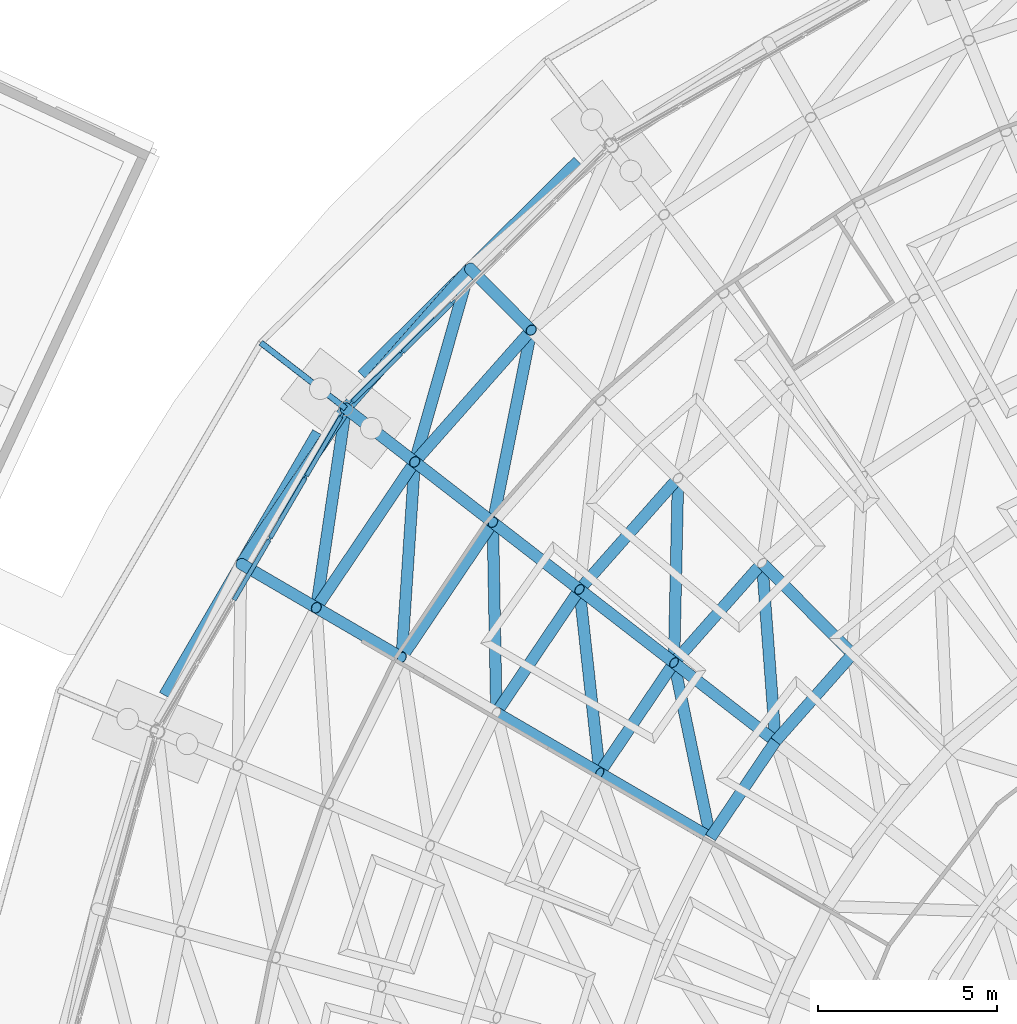
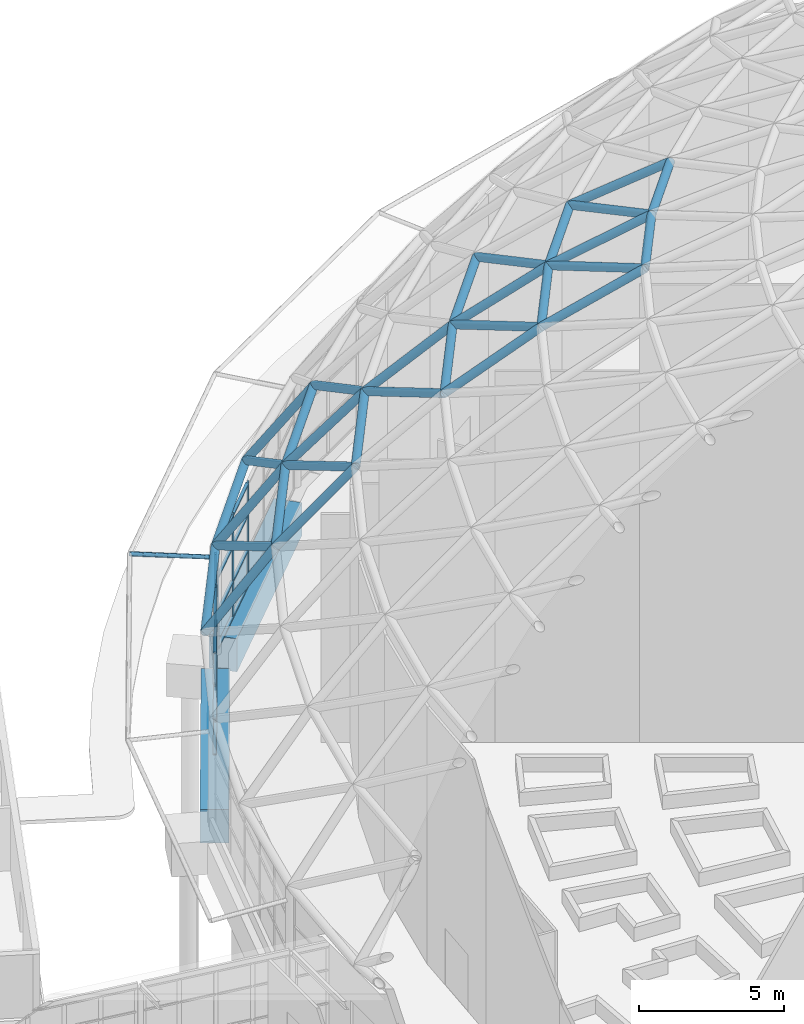
# One storey, part 86 of 226: 58 members, 2 beams, 2 elements without a shape of their own.
"""IFC4 building model written with IfcOpenShell, lengths in metres."""

from ifc_helpers import new_model, si_unit, direction, frame, origin, origin_2d, place, context, subcontext, project, spatial, rectangle, hollow_circle, extrude, material, material_profile, profile_set, type_object, element, aggregate, save


model = new_model("IFC4")

# Units and contexts
model_context = context("Model", 3, precision=1e-05, world=origin(), true_north=direction((0.0, 1.0)))
body_context = subcontext(model_context, "Body", "Model", "MODEL_VIEW")
ifc_project = project(units=[si_unit("LENGTHUNIT", "METRE"), si_unit("AREAUNIT", "SQUARE_METRE"), si_unit("VOLUMEUNIT", "CUBIC_METRE"), si_unit("PLANEANGLEUNIT", "RADIAN"), si_unit("MASSUNIT", "GRAM", prefix="KILO")], contexts=[model_context])

# Site, building, storey
site_placement = place(None, origin())
site = spatial("IfcSite", under=ifc_project, at=site_placement, CompositionType="ELEMENT")
building_placement = place(site_placement, origin())
building = spatial("IfcBuilding", under=site, at=building_placement, Name="Ceibo Conservatory and Research Tower", CompositionType="ELEMENT")
storey_placement = place(building_placement, origin())
storey = spatial("IfcBuildingStorey", under=building, at=storey_placement, Name="L00", CompositionType="ELEMENT", Elevation=0.0)

# Members
ifc_material_1 = material(Name="Steel ASTM A500 Gr C", Category="steel")
ifc_material_profile_1 = material_profile(ifc_material_1, hollow_circle(Radius=0.084228515625, WallThickness=0.007080078125, at=origin_2d()), Name="CHS 168.3x7.11")
ifc_profile_set_1 = profile_set([ifc_material_profile_1], Name="Steel ASTM A500 Gr C")
member_type_1 = type_object("IfcMemberType", Name="CHS 168.3x7.11", PredefinedType="NOTDEFINED", material=ifc_profile_set_1)
member_1_placement = place(storey_placement, frame((124.372314453125, 132.48876953125, 4.0), z_axis=(-0.789869974029, 0.611588288866, -0.04544435112), x_axis=(-0.612220791431, -0.790686854918, 0.0)))
element("IfcMember", 1, at=member_1_placement, inside=storey, type_object=member_type_1, Name="Brim brace bracket A-BK10", PredefinedType="BRACE", context=body_context, shape_type="SweptSolid", body=[
    extrude(hollow_circle(Radius=0.084228515625, WallThickness=0.007080078125, at=origin_2d()), origin(), (0.0, 0.0, 1.0), 3.003173828125),
])
ifc_material_profile_2 = material_profile(ifc_material_1, hollow_circle(Radius=0.161865234375, WallThickness=0.01025390625, at=origin_2d()), Name="CHS 323.9x10.31")
ifc_profile_set_2 = profile_set([ifc_material_profile_2], Name="Steel ASTM A500 Gr C")
member_type_2 = type_object("IfcMemberType", Name="CHS 323.9x10.31", PredefinedType="NOTDEFINED", material=ifc_profile_set_2)
member_2_placement = place(storey_placement, frame((129.553955078125, 134.677978515625, 8.115966796875), z_axis=(-0.662634989667, -0.748942501444, 0.0), x_axis=(0.748942501444, -0.662634989667, 0.0)))
element("IfcMember", 2, at=member_2_placement, inside=storey, type_object=member_type_2, Name="Gridshell member A-C02-18", PredefinedType="CHORD", context=body_context, shape_type="SweptSolid", body=[
    extrude(hollow_circle(Radius=0.161865234375, WallThickness=0.01025390625, at=origin_2d()), origin(), (0.0, 0.0, 1.0), 4.91357421875),
])
member_3_placement = place(storey_placement, frame((126.298095703125, 130.998046875, 8.115966796875), z_axis=(-0.559209169771, -0.829026600565, 0.0), x_axis=(0.829026600565, -0.559209169771, 0.0)))
element("IfcMember", 3, at=member_3_placement, inside=storey, type_object=member_type_2, Name="Gridshell member A-C02-19", PredefinedType="CHORD", context=body_context, shape_type="SweptSolid", body=[
    extrude(hollow_circle(Radius=0.161865234375, WallThickness=0.01025390625, at=origin_2d()), origin(), (0.0, 0.0, 1.0), 4.9140625),
])
member_4_placement = place(storey_placement, frame((128.47998046875, 129.30810546875, 11.489013671875), z_axis=(-0.55922138837, -0.829018358536, 0.0), x_axis=(0.829018358536, -0.55922138837, 0.0)))
element("IfcMember", 4, at=member_4_placement, inside=storey, type_object=member_type_2, Name="Gridshell member A-C03-19", PredefinedType="CHORD", context=body_context, shape_type="SweptSolid", body=[
    extrude(hollow_circle(Radius=0.161865234375, WallThickness=0.01025390625, at=origin_2d()), origin(), (0.0, 0.0, 1.0), 4.552490234375),
])
member_5_placement = place(storey_placement, frame((133.652099609375, 130.54296875, 14.591064453125), z_axis=(-0.662715987394, -0.748870830018, 0.0), x_axis=(0.748870830018, -0.662715987394, 0.0)))
element("IfcMember", 5, at=member_5_placement, inside=storey, type_object=member_type_2, Name="Gridshell member A-C04-18", PredefinedType="CHORD", context=body_context, shape_type="SweptSolid", body=[
    extrude(hollow_circle(Radius=0.161865234375, WallThickness=0.01025390625, at=origin_2d()), origin(), (0.0, 0.0, 1.0), 4.1513671875),
])
member_6_placement = place(storey_placement, frame((130.90087890625, 127.43408203125, 14.591064453125), z_axis=(-0.55908810092, -0.829108253131, 0.0), x_axis=(0.829108253131, -0.55908810092, 0.0)))
element("IfcMember", 6, at=member_6_placement, inside=storey, type_object=member_type_2, Name="Gridshell member A-C04-19", PredefinedType="CHORD", context=body_context, shape_type="SweptSolid", body=[
    extrude(hollow_circle(Radius=0.161865234375, WallThickness=0.01025390625, at=origin_2d()), origin(), (0.0, 0.0, 1.0), 4.15283203125),
])
member_7_placement = place(storey_placement, frame((136.001953125, 128.173095703125, 17.39501953125), z_axis=(0.578830285371, -0.583927397426, 0.569196183467), x_axis=(0.71019965967, 0.704000314918, 0.0)))
element("IfcMember", 7, at=member_7_placement, inside=storey, type_object=member_type_2, Name="Gridshell member A-M18-05", PredefinedType="RAFTER", context=body_context, shape_type="SweptSolid", body=[
    extrude(hollow_circle(Radius=0.161865234375, WallThickness=0.01025390625, at=origin_2d()), origin(), (0.0, 0.0, 1.0), 4.358642578125),
])
member_8_placement = place(storey_placement, frame((133.5400390625, 125.389892578125, 17.39501953125), z_axis=(0.650167743921, -0.503308696319, 0.569176827509), x_axis=(0.612137469712, 0.790751363056, 0.0)))
element("IfcMember", 8, at=member_8_placement, inside=storey, type_object=member_type_2, Name="Gridshell member A-M19-05", PredefinedType="RAFTER", context=body_context, shape_type="SweptSolid", body=[
    extrude(hollow_circle(Radius=0.161865234375, WallThickness=0.01025390625, at=origin_2d()), origin(), (0.0, 0.0, 1.0), 4.35888671875),
])
member_9_placement = place(storey_placement, frame((131.462890625, 122.31005859375, 17.39501953125), z_axis=(0.710200096409, -0.414199362111, 0.569258035945), x_axis=(0.503794768153, 0.863823379854, 0.0)))
element("IfcMember", 9, at=member_9_placement, inside=storey, type_object=member_type_2, Name="Gridshell member A-M20-05", PredefinedType="RAFTER", context=body_context, shape_type="SweptSolid", body=[
    extrude(hollow_circle(Radius=0.161865234375, WallThickness=0.01025390625, at=origin_2d()), origin(), (0.0, 0.0, 1.0), 4.358154296875),
])
ifc_material_profile_3 = material_profile(ifc_material_1, hollow_circle(Radius=0.161865234375, WallThickness=0.01416015625, at=origin_2d()), Name="CHS 323.9x14.27")
ifc_profile_set_3 = profile_set([ifc_material_profile_3], Name="Steel ASTM A500 Gr C")
member_type_3 = type_object("IfcMemberType", Name="CHS 323.9x14.27", PredefinedType="NOTDEFINED", material=ifc_profile_set_3)
member_10_placement = place(storey_placement, frame((127.839111328125, 136.406982421875, 4.5), z_axis=(0.393356662776, -0.396604767338, 0.829442701079), x_axis=(0.710008208399, 0.704193399576, 0.0)))
element("IfcMember", 10, at=member_10_placement, inside=storey, type_object=member_type_3, Name="Gridshell member A-M18-01", PredefinedType="RAFTER", context=body_context, shape_type="SweptSolid", body=[
    extrude(hollow_circle(Radius=0.161865234375, WallThickness=0.01416015625, at=origin_2d()), origin(), (0.0, 0.0, 1.0), 4.359619140625),
])
member_11_placement = place(storey_placement, frame((124.3720703125, 132.489013671875, 4.5), z_axis=(0.441770187879, -0.341981307818, 0.829390068788), x_axis=(0.612134780831, 0.790753444568, 0.0)))
element("IfcMember", 11, at=member_11_placement, inside=storey, type_object=member_type_3, Name="Gridshell member A-M19-01", PredefinedType="RAFTER", context=body_context, shape_type="SweptSolid", body=[
    extrude(hollow_circle(Radius=0.161865234375, WallThickness=0.01416015625, at=origin_2d()), origin(), (0.0, 0.0, 1.0), 4.35986328125),
])
member_12_placement = place(storey_placement, frame((121.447021484375, 128.15087890625, 4.5), z_axis=(0.482429547235, -0.281426570102, 0.829494314384), x_axis=(0.503883494942, 0.863771626951, 0.0)))
element("IfcMember", 12, at=member_12_placement, inside=storey, type_object=member_type_3, Name="Gridshell member A-M20-01", PredefinedType="RAFTER", context=body_context, shape_type="SweptSolid", body=[
    extrude(hollow_circle(Radius=0.161865234375, WallThickness=0.01416015625, at=origin_2d()), origin(), (0.0, 0.0, 1.0), 4.359130859375),
])
for number, where, z_axis, x_axis, name in (
    (13, (126.298095703125, 130.998046875, 8.115966796875), (0.500638166699, -0.387760701565, 0.773952882523), (0.612340896323, 0.790593844328, 0.0), "Gridshell member A-M19-02"),
    (14, (123.550048828125, 126.924072265625, 8.115966796875), (0.547027734795, -0.318973468707, 0.773961616378), (0.503722506061, 0.863865520141, 0.0), "Gridshell member A-M20-02"),
):
    element("IfcMember", number, at=place(storey_placement, frame(where, z_axis=z_axis, x_axis=x_axis)), inside=storey, type_object=member_type_3, Name=name, PredefinedType="RAFTER", context=body_context, shape_type="SweptSolid", body=[
        extrude(hollow_circle(Radius=0.161865234375, WallThickness=0.01416015625, at=origin_2d()), origin(), (0.0, 0.0, 1.0), 4.358154296875),
    ])
member_13_placement = place(storey_placement, frame((128.47998046875, 129.30810546875, 11.489013671875), z_axis=(0.55545896567, -0.429982152126, 0.711744818253), x_axis=(0.612128156679, 0.790758572385, 0.0)))
element("IfcMember", 15, at=member_13_placement, inside=storey, type_object=member_type_3, Name="Gridshell member A-M19-03", PredefinedType="RAFTER", context=body_context, shape_type="SweptSolid", body=[
    extrude(hollow_circle(Radius=0.161865234375, WallThickness=0.01416015625, at=origin_2d()), origin(), (0.0, 0.0, 1.0), 4.3583984375),
])
member_14_placement = place(storey_placement, frame((130.90087890625, 127.43408203125, 14.591064453125), z_axis=(0.605368635117, -0.468894688422, 0.643169174313), x_axis=(0.612354609273, 0.790583223008, 0.0)))
element("IfcMember", 16, at=member_14_placement, inside=storey, type_object=member_type_3, Name="Gridshell member A-M19-04", PredefinedType="RAFTER", context=body_context, shape_type="SweptSolid", body=[
    extrude(hollow_circle(Radius=0.161865234375, WallThickness=0.01416015625, at=origin_2d()), origin(), (0.0, 0.0, 1.0), 4.359619140625),
])
member_15_placement = place(storey_placement, frame((128.5791015625, 123.990966796875, 14.591064453125), z_axis=(0.661519463745, -0.385587665754, 0.643206149772), x_axis=(0.503579946391, 0.863948631339, 0.0)))
element("IfcMember", 17, at=member_15_placement, inside=storey, type_object=member_type_3, Name="Gridshell member A-M20-04", PredefinedType="RAFTER", context=body_context, shape_type="SweptSolid", body=[
    extrude(hollow_circle(Radius=0.161865234375, WallThickness=0.01416015625, at=origin_2d()), origin(), (0.0, 0.0, 1.0), 4.359375),
])
ifc_material_2 = material(Name="Steel S355J2H", Category="steel")
ifc_material_profile_4 = material_profile(ifc_material_2, hollow_circle(Radius=0.161865234375, WallThickness=0.025390625, at=origin_2d()), Name="CHS 323.9x25.40")
ifc_profile_set_4 = profile_set([ifc_material_profile_4], Name="Steel S355J2H")
member_type_4 = type_object("IfcMemberType", Name="CHS 323.9x25.40", PredefinedType="NOTDEFINED", material=ifc_profile_set_4)
member_16_placement = place(storey_placement, frame((127.839111328125, 136.406982421875, 4.5), z_axis=(-0.662696713918, -0.748887885709, 0.0), x_axis=(0.748887885709, -0.662696713918, 0.0)))
element("IfcMember", 18, at=member_16_placement, inside=storey, type_object=member_type_4, Name="Gridshell member A-C01-18", PredefinedType="CHORD", context=body_context, shape_type="SweptSolid", body=[
    extrude(hollow_circle(Radius=0.161865234375, WallThickness=0.025390625, at=origin_2d()), origin(), (0.0, 0.0, 1.0), 5.231689453125),
])
member_17_placement = place(storey_placement, frame((124.3720703125, 132.489013671875, 4.5), z_axis=(-0.55905364974, -0.829131483368, 0.0), x_axis=(0.829131483368, -0.55905364974, 0.0)))
element("IfcMember", 19, at=member_17_placement, inside=storey, type_object=member_type_4, Name="Gridshell member A-C01-19", PredefinedType="CHORD", context=body_context, shape_type="SweptSolid", body=[
    extrude(hollow_circle(Radius=0.161865234375, WallThickness=0.025390625, at=origin_2d()), origin(), (0.0, 0.0, 1.0), 5.232177734375),
])
ifc_material_profile_5 = material_profile(ifc_material_1, hollow_circle(Radius=0.161865234375, WallThickness=0.00634765625, at=origin_2d()), Name="CHS 323.9x6.35")
ifc_profile_set_5 = profile_set([ifc_material_profile_5], Name="Steel ASTM A500 Gr C")
member_type_5 = type_object("IfcMemberType", Name="CHS 323.9x6.35", PredefinedType="NOTDEFINED", material=ifc_profile_set_5)
member_18_placement = place(storey_placement, frame((136.001953125, 128.173095703125, 17.39501953125), z_axis=(0.06675626134, -0.892974503729, 0.445129348911), x_axis=(0.99721733959, 0.074549162442, 0.0)))
element("IfcMember", 20, at=member_18_placement, inside=storey, type_object=member_type_5, Name="Gridshell diagonal member A-D05-18", PredefinedType="BRACE", context=body_context, shape_type="SweptSolid", body=[
    extrude(hollow_circle(Radius=0.161865234375, WallThickness=0.00634765625, at=origin_2d()), origin(), (0.0, 0.0, 1.0), 5.573486328125),
])
member_19_placement = place(storey_placement, frame((133.5400390625, 125.389892578125, 17.39501953125), z_axis=(0.18268834766, -0.87659739768, 0.445198798302), x_axis=(0.978966170925, 0.204022636451, 0.0)))
element("IfcMember", 21, at=member_19_placement, inside=storey, type_object=member_type_5, Name="Gridshell diagonal member A-D05-19", PredefinedType="BRACE", context=body_context, shape_type="SweptSolid", body=[
    extrude(hollow_circle(Radius=0.161865234375, WallThickness=0.00634765625, at=origin_2d()), origin(), (0.0, 0.0, 1.0), 5.57275390625),
])
ifc_material_profile_6 = material_profile(ifc_material_1, hollow_circle(Radius=0.161865234375, WallThickness=0.00830078125, at=origin_2d()), Name="CHS 323.9x8.38")
ifc_profile_set_6 = profile_set([ifc_material_profile_6], Name="Steel ASTM A500 Gr C")
member_type_6 = type_object("IfcMemberType", Name="CHS 323.9x8.38", PredefinedType="NOTDEFINED", material=ifc_profile_set_6)
member_20_placement = place(storey_placement, frame((136.001953125, 128.173095703125, 17.39501953125), z_axis=(-0.662551199296, -0.749016627526, 0.0), x_axis=(0.749016627526, -0.662551199296, 0.0)))
element("IfcMember", 22, at=member_20_placement, inside=storey, type_object=member_type_6, Name="Gridshell member A-C05-18", PredefinedType="CHORD", context=body_context, shape_type="SweptSolid", body=[
    extrude(hollow_circle(Radius=0.161865234375, WallThickness=0.00830078125, at=origin_2d()), origin(), (0.0, 0.0, 1.0), 3.7158203125),
])
member_21_placement = place(storey_placement, frame((133.5400390625, 125.389892578125, 17.39501953125), z_axis=(-0.559151123217, -0.82906575216, 0.0), x_axis=(0.82906575216, -0.559151123217, 0.0)))
element("IfcMember", 23, at=member_21_placement, inside=storey, type_object=member_type_6, Name="Gridshell member A-C05-19", PredefinedType="CHORD", context=body_context, shape_type="SweptSolid", body=[
    extrude(hollow_circle(Radius=0.161865234375, WallThickness=0.00830078125, at=origin_2d()), origin(), (0.0, 0.0, 1.0), 3.71484375),
])
for number, where, z_axis, x_axis, name in (
    (24, (138.52490234375, 125.6279296875, 19.8759765625), (-0.662504109537, -0.749058278672, 0.0), (0.749058278672, -0.662504109537, 0.0), "Gridshell member A-C06-18"),
    (25, (136.3740234375, 123.196044921875, 19.8759765625), (-0.559342401268, -0.828936715404, 0.0), (0.828936715404, -0.559342401268, 0.0), "Gridshell member A-C06-19"),
):
    element("IfcMember", number, at=place(storey_placement, frame(where, z_axis=z_axis, x_axis=x_axis)), inside=storey, type_object=member_type_6, Name=name, PredefinedType="CHORD", context=body_context, shape_type="SweptSolid", body=[
        extrude(hollow_circle(Radius=0.161865234375, WallThickness=0.00830078125, at=origin_2d()), origin(), (0.0, 0.0, 1.0), 3.24658203125),
    ])
member_22_placement = place(storey_placement, frame((127.839111328125, 136.406982421875, 4.5), z_axis=(-0.230473802394, -0.808958664772, 0.54080283385), x_axis=(0.961730074572, -0.273998656317, 0.0)))
element("IfcMember", 26, at=member_22_placement, inside=storey, type_object=member_type_6, Name="Gridshell diagonal member A-D01-18", PredefinedType="BRACE", context=body_context, shape_type="SweptSolid", body=[
    extrude(hollow_circle(Radius=0.161865234375, WallThickness=0.00830078125, at=origin_2d()), origin(), (0.0, 0.0, 1.0), 6.686279296875),
])
member_23_placement = place(storey_placement, frame((124.3720703125, 132.489013671875, 4.5), z_axis=(-0.122923427068, -0.832170061354, 0.540724347579), x_axis=(0.989265589959, -0.146128684803, 0.0)))
element("IfcMember", 27, at=member_23_placement, inside=storey, type_object=member_type_6, Name="Gridshell diagonal member A-D01-19", PredefinedType="BRACE", context=body_context, shape_type="SweptSolid", body=[
    extrude(hollow_circle(Radius=0.161865234375, WallThickness=0.00830078125, at=origin_2d()), origin(), (0.0, 0.0, 1.0), 6.687255859375),
])
for number, where, z_axis, x_axis, name in (
    (28, (129.553955078125, 134.677978515625, 8.115966796875), (-0.166982182668, -0.834910913338, 0.524443245223), (0.980580675691, -0.196116135138, 0.0), "Gridshell diagonal member A-D02-18"),
    (29, (126.298095703125, 130.998046875, 8.115966796875), (-0.056597011166, -0.84956251301, 0.524442861344), (0.997788312977, -0.0664716668, 0.0), "Gridshell diagonal member A-D02-19"),
):
    element("IfcMember", number, at=place(storey_placement, frame(where, z_axis=z_axis, x_axis=x_axis)), inside=storey, type_object=member_type_6, Name=name, PredefinedType="BRACE", context=body_context, shape_type="SweptSolid", body=[
        extrude(hollow_circle(Radius=0.161865234375, WallThickness=0.00830078125, at=origin_2d()), origin(), (0.0, 0.0, 1.0), 6.431640625),
    ])
member_24_placement = place(storey_placement, frame((128.47998046875, 129.30810546875, 11.489013671875), z_axis=(0.016099806464, -0.863639618189, 0.503852563878), x_axis=(0.999826286718, 0.018638572589, 0.0)))
element("IfcMember", 30, at=member_24_placement, inside=storey, type_object=member_type_6, Name="Gridshell diagonal member A-D03-19", PredefinedType="BRACE", context=body_context, shape_type="SweptSolid", body=[
    extrude(hollow_circle(Radius=0.161865234375, WallThickness=0.00830078125, at=origin_2d()), origin(), (0.0, 0.0, 1.0), 6.15673828125),
])
member_25_placement = place(storey_placement, frame((133.652099609375, 130.54296875, 14.591064453125), z_axis=(-0.019098139666, -0.878223167616, 0.477869573131), x_axis=(0.999763632178, -0.021741199942, 0.0)))
element("IfcMember", 31, at=member_25_placement, inside=storey, type_object=member_type_6, Name="Gridshell diagonal member A-D04-18", PredefinedType="BRACE", context=body_context, shape_type="SweptSolid", body=[
    extrude(hollow_circle(Radius=0.161865234375, WallThickness=0.00830078125, at=origin_2d()), origin(), (0.0, 0.0, 1.0), 5.86767578125),
])
member_26_placement = place(storey_placement, frame((130.90087890625, 127.43408203125, 14.591064453125), z_axis=(0.095775388021, -0.873211921711, 0.47783680774), x_axis=(0.994038692489, 0.109027876411, 0.0)))
element("IfcMember", 32, at=member_26_placement, inside=storey, type_object=member_type_6, Name="Gridshell diagonal member A-D04-19", PredefinedType="BRACE", context=body_context, shape_type="SweptSolid", body=[
    extrude(hollow_circle(Radius=0.161865234375, WallThickness=0.00830078125, at=origin_2d()), origin(), (0.0, 0.0, 1.0), 5.867919921875),
])

# Curtain wall, members
ifc_material_3 = material(Name="Aluminium and glass", Category="aluminium")
curtain_wall_type = type_object("IfcCurtainWallType", Name="Drum curtain wall", PredefinedType="NOTDEFINED", material=ifc_material_3)
curtain_wall_1_placement = place(storey_placement, origin())
curtain_wall_1 = element("IfcCurtainWall", 33, at=curtain_wall_1_placement, inside=storey, type_object=curtain_wall_type, Name="Drum curtain wall A-CW09", PredefinedType="NOTDEFINED")
ifc_material_4 = material(Name="Aluminium", Category="aluminium")
ifc_material_profile_7 = material_profile(ifc_material_4, rectangle(XDim=0.06005859375, YDim=0.159912109375, at=origin_2d()), Name="AL 60x160")
ifc_profile_set_7 = profile_set([ifc_material_profile_7], Name="Aluminium")
member_type_7 = type_object("IfcMemberType", Name="Drum mullion 60x160", PredefinedType="MULLION", material=ifc_profile_set_7)
member_27_placement = place(storey_placement, frame((127.36767578125, 135.457763671875, 0.0), z_axis=(0.0, 0.0, 1.0), x_axis=(0.704014749779, -0.71018535052, 0.0)))
member_27 = element("IfcMember", 34, at=member_27_placement, type_object=member_type_7, Name="A-CW09 mullion 4", PredefinedType="MULLION", context=body_context, shape_type="SweptSolid", body=[
    extrude(rectangle(XDim=0.06005859375, YDim=0.159912109375, at=origin_2d()), origin(), (0.0, 0.0, 1.0), 4.338134765625),
])
member_28_placement = place(storey_placement, frame((125.942138671875, 134.044921875, 0.0), z_axis=(0.0, 0.0, 1.0), x_axis=(0.704014749779, -0.71018535052, 0.0)))
member_28 = element("IfcMember", 35, at=member_28_placement, type_object=member_type_7, Name="A-CW09 mullion 5", PredefinedType="MULLION", context=body_context, shape_type="SweptSolid", body=[
    extrude(rectangle(XDim=0.06005859375, YDim=0.159912109375, at=origin_2d()), origin(), (0.0, 0.0, 1.0), 4.338134765625),
])
member_29_placement = place(storey_placement, frame((124.5380859375, 132.65283203125, 0.0), z_axis=(0.0, 0.0, 1.0), x_axis=(0.704014749779, -0.71018535052, 0.0)))
member_29 = element("IfcMember", 36, at=member_29_placement, type_object=member_type_7, Name="A-CW09 mullion 6", PredefinedType="MULLION", context=body_context, shape_type="SweptSolid", body=[
    extrude(rectangle(XDim=0.06005859375, YDim=0.159912109375, at=origin_2d()), origin(), (0.0, 0.0, 1.0), 4.338134765625),
])

curtain_wall_2_placement = place(storey_placement, origin())
curtain_wall_2 = element("IfcCurtainWall", 37, at=curtain_wall_2_placement, inside=storey, type_object=curtain_wall_type, Name="Drum curtain wall A-CW10", PredefinedType="NOTDEFINED")
member_30_placement = place(storey_placement, frame((124.2548828125, 132.287353515625, 0.0), z_axis=(0.0, 0.0, 1.0), x_axis=(0.863835508167, -0.503773971965, 0.0)))
member_30 = element("IfcMember", 38, at=member_30_placement, type_object=member_type_7, Name="A-CW10 mullion 1", PredefinedType="MULLION", context=body_context, shape_type="SweptSolid", body=[
    extrude(rectangle(XDim=0.06005859375, YDim=0.159912109375, at=origin_2d()), origin(), (0.0, 0.0, 1.0), 4.338134765625),
])
member_31_placement = place(storey_placement, frame((123.2587890625, 130.579345703125, 0.0), z_axis=(0.0, 0.0, 1.0), x_axis=(0.863835508167, -0.503773971965, 0.0)))
member_31 = element("IfcMember", 39, at=member_31_placement, type_object=member_type_7, Name="A-CW10 mullion 2", PredefinedType="MULLION", context=body_context, shape_type="SweptSolid", body=[
    extrude(rectangle(XDim=0.06005859375, YDim=0.159912109375, at=origin_2d()), origin(), (0.0, 0.0, 1.0), 4.338134765625),
])
member_32_placement = place(storey_placement, frame((122.247802734375, 128.845458984375, 0.0), z_axis=(0.0, 0.0, 1.0), x_axis=(0.863835508167, -0.503773971965, 0.0)))
member_32 = element("IfcMember", 40, at=member_32_placement, type_object=member_type_7, Name="A-CW10 mullion 3", PredefinedType="MULLION", context=body_context, shape_type="SweptSolid", body=[
    extrude(rectangle(XDim=0.06005859375, YDim=0.159912109375, at=origin_2d()), origin(), (0.0, 0.0, 1.0), 4.338134765625),
])

# Member
ifc_material_profile_8 = material_profile(ifc_material_4, rectangle(XDim=0.1201171875, YDim=0.06005859375, at=origin_2d()), Name="AL 60x120")
ifc_profile_set_8 = profile_set([ifc_material_profile_8], Name="Aluminium")
member_type_8 = type_object("IfcMemberType", Name="Drum transom 60x120", PredefinedType="USERDEFINED", material=ifc_profile_set_8)
member_33_placement = place(storey_placement, frame((127.34619140625, 135.436767578125, 0.030029296875), z_axis=(-0.710172003657, -0.704028213371, 0.0), x_axis=(0.704028213371, -0.710172003657, 0.0)))
member_33 = element("IfcMember", 41, at=member_33_placement, type_object=member_type_8, Name="A-CW09 transom 4.1", ObjectType="TRANSOM", PredefinedType="USERDEFINED", context=body_context, shape_type="SweptSolid", body=[
    extrude(rectangle(XDim=0.1201171875, YDim=0.06005859375, at=origin_2d()), origin(), (0.0, 0.0, 1.0), 1.947265625),
])

member_34_placement = place(storey_placement, frame((127.34619140625, 135.436767578125, 1.530029296875), z_axis=(-0.710172003657, -0.704028213371, 0.0), x_axis=(0.704028213371, -0.710172003657, 0.0)))
member_34 = element("IfcMember", 42, at=member_34_placement, type_object=member_type_8, Name="A-CW09 transom 4.2", ObjectType="TRANSOM", PredefinedType="USERDEFINED", context=body_context, shape_type="SweptSolid", body=[
    extrude(rectangle(XDim=0.1201171875, YDim=0.06005859375, at=origin_2d()), origin(), (0.0, 0.0, 1.0), 1.947265625),
])

member_35_placement = place(storey_placement, frame((127.34619140625, 135.436767578125, 3.014892578125), z_axis=(-0.710172003657, -0.704028213371, 0.0), x_axis=(0.704028213371, -0.710172003657, 0.0)))
member_35 = element("IfcMember", 43, at=member_35_placement, type_object=member_type_8, Name="A-CW09 transom 4.3", ObjectType="TRANSOM", PredefinedType="USERDEFINED", context=body_context, shape_type="SweptSolid", body=[
    extrude(rectangle(XDim=0.1201171875, YDim=0.06005859375, at=origin_2d()), origin(), (0.0, 0.0, 1.0), 1.947265625),
])

member_36_placement = place(storey_placement, frame((127.34619140625, 135.436767578125, 4.30810546875), z_axis=(-0.710172003657, -0.704028213371, 0.0), x_axis=(0.704028213371, -0.710172003657, 0.0)))
member_36 = element("IfcMember", 44, at=member_36_placement, type_object=member_type_8, Name="A-CW09 transom 4.4", ObjectType="TRANSOM", PredefinedType="USERDEFINED", context=body_context, shape_type="SweptSolid", body=[
    extrude(rectangle(XDim=0.1201171875, YDim=0.06005859375, at=origin_2d()), origin(), (0.0, 0.0, 1.0), 1.947265625),
])

member_37_placement = place(storey_placement, frame((125.9208984375, 134.023681640625, 0.030029296875), z_axis=(-0.710219924339, -0.703979871212, 0.0), x_axis=(0.703979871212, -0.710219924339, 0.0)))
member_37 = element("IfcMember", 45, at=member_37_placement, type_object=member_type_8, Name="A-CW09 transom 5.1", ObjectType="TRANSOM", PredefinedType="USERDEFINED", context=body_context, shape_type="SweptSolid", body=[
    extrude(rectangle(XDim=0.1201171875, YDim=0.06005859375, at=origin_2d()), origin(), (0.0, 0.0, 1.0), 1.9169921875),
])

member_38_placement = place(storey_placement, frame((125.9208984375, 134.023681640625, 1.530029296875), z_axis=(-0.710219924339, -0.703979871212, 0.0), x_axis=(0.703979871212, -0.710219924339, 0.0)))
member_38 = element("IfcMember", 46, at=member_38_placement, type_object=member_type_8, Name="A-CW09 transom 5.2", ObjectType="TRANSOM", PredefinedType="USERDEFINED", context=body_context, shape_type="SweptSolid", body=[
    extrude(rectangle(XDim=0.1201171875, YDim=0.06005859375, at=origin_2d()), origin(), (0.0, 0.0, 1.0), 1.9169921875),
])

member_39_placement = place(storey_placement, frame((125.9208984375, 134.023681640625, 3.014892578125), z_axis=(-0.710219924339, -0.703979871212, 0.0), x_axis=(0.703979871212, -0.710219924339, 0.0)))
member_39 = element("IfcMember", 47, at=member_39_placement, type_object=member_type_8, Name="A-CW09 transom 5.3", ObjectType="TRANSOM", PredefinedType="USERDEFINED", context=body_context, shape_type="SweptSolid", body=[
    extrude(rectangle(XDim=0.1201171875, YDim=0.06005859375, at=origin_2d()), origin(), (0.0, 0.0, 1.0), 1.9169921875),
])

member_40_placement = place(storey_placement, frame((125.9208984375, 134.023681640625, 4.30810546875), z_axis=(-0.710219924339, -0.703979871212, 0.0), x_axis=(0.703979871212, -0.710219924339, 0.0)))
member_40 = element("IfcMember", 48, at=member_40_placement, type_object=member_type_8, Name="A-CW09 transom 5.4", ObjectType="TRANSOM", PredefinedType="USERDEFINED", context=body_context, shape_type="SweptSolid", body=[
    extrude(rectangle(XDim=0.1201171875, YDim=0.06005859375, at=origin_2d()), origin(), (0.0, 0.0, 1.0), 1.9169921875),
])

aggregate(curtain_wall_1, [member_27, member_28, member_29, member_33, member_34, member_35, member_36, member_37, member_38, member_39, member_40])

member_41_placement = place(storey_placement, frame((124.23974609375, 132.26123046875, 0.030029296875), z_axis=(-0.50379976015, -0.863820468427, 0.0), x_axis=(0.863820468427, -0.50379976015, 0.0)))
member_41 = element("IfcMember", 49, at=member_41_placement, type_object=member_type_8, Name="A-CW10 transom 1.1", ObjectType="TRANSOM", PredefinedType="USERDEFINED", context=body_context, shape_type="SweptSolid", body=[
    extrude(rectangle(XDim=0.1201171875, YDim=0.06005859375, at=origin_2d()), origin(), (0.0, 0.0, 1.0), 1.9169921875),
])

member_42_placement = place(storey_placement, frame((124.23974609375, 132.26123046875, 1.530029296875), z_axis=(-0.50379976015, -0.863820468427, 0.0), x_axis=(0.863820468427, -0.50379976015, 0.0)))
member_42 = element("IfcMember", 50, at=member_42_placement, type_object=member_type_8, Name="A-CW10 transom 1.2", ObjectType="TRANSOM", PredefinedType="USERDEFINED", context=body_context, shape_type="SweptSolid", body=[
    extrude(rectangle(XDim=0.1201171875, YDim=0.06005859375, at=origin_2d()), origin(), (0.0, 0.0, 1.0), 1.9169921875),
])

member_43_placement = place(storey_placement, frame((124.23974609375, 132.26123046875, 3.014892578125), z_axis=(-0.50379976015, -0.863820468427, 0.0), x_axis=(0.863820468427, -0.50379976015, 0.0)))
member_43 = element("IfcMember", 51, at=member_43_placement, type_object=member_type_8, Name="A-CW10 transom 1.3", ObjectType="TRANSOM", PredefinedType="USERDEFINED", context=body_context, shape_type="SweptSolid", body=[
    extrude(rectangle(XDim=0.1201171875, YDim=0.06005859375, at=origin_2d()), origin(), (0.0, 0.0, 1.0), 1.9169921875),
])

member_44_placement = place(storey_placement, frame((124.23974609375, 132.26123046875, 4.30810546875), z_axis=(-0.50379976015, -0.863820468427, 0.0), x_axis=(0.863820468427, -0.50379976015, 0.0)))
member_44 = element("IfcMember", 52, at=member_44_placement, type_object=member_type_8, Name="A-CW10 transom 1.4", ObjectType="TRANSOM", PredefinedType="USERDEFINED", context=body_context, shape_type="SweptSolid", body=[
    extrude(rectangle(XDim=0.1201171875, YDim=0.06005859375, at=origin_2d()), origin(), (0.0, 0.0, 1.0), 1.9169921875),
])

member_45_placement = place(storey_placement, frame((123.243896484375, 130.553466796875, 0.030029296875), z_axis=(-0.503761885675, -0.86384255657, 0.0), x_axis=(0.86384255657, -0.503761885675, 0.0)))
member_45 = element("IfcMember", 53, at=member_45_placement, type_object=member_type_8, Name="A-CW10 transom 2.1", ObjectType="TRANSOM", PredefinedType="USERDEFINED", context=body_context, shape_type="SweptSolid", body=[
    extrude(rectangle(XDim=0.1201171875, YDim=0.06005859375, at=origin_2d()), origin(), (0.0, 0.0, 1.0), 1.947265625),
])

member_46_placement = place(storey_placement, frame((123.243896484375, 130.553466796875, 1.530029296875), z_axis=(-0.503761885675, -0.86384255657, 0.0), x_axis=(0.86384255657, -0.503761885675, 0.0)))
member_46 = element("IfcMember", 54, at=member_46_placement, type_object=member_type_8, Name="A-CW10 transom 2.2", ObjectType="TRANSOM", PredefinedType="USERDEFINED", context=body_context, shape_type="SweptSolid", body=[
    extrude(rectangle(XDim=0.1201171875, YDim=0.06005859375, at=origin_2d()), origin(), (0.0, 0.0, 1.0), 1.947265625),
])

member_47_placement = place(storey_placement, frame((123.243896484375, 130.553466796875, 3.014892578125), z_axis=(-0.503761885675, -0.86384255657, 0.0), x_axis=(0.86384255657, -0.503761885675, 0.0)))
member_47 = element("IfcMember", 55, at=member_47_placement, type_object=member_type_8, Name="A-CW10 transom 2.3", ObjectType="TRANSOM", PredefinedType="USERDEFINED", context=body_context, shape_type="SweptSolid", body=[
    extrude(rectangle(XDim=0.1201171875, YDim=0.06005859375, at=origin_2d()), origin(), (0.0, 0.0, 1.0), 1.947265625),
])

member_48_placement = place(storey_placement, frame((123.243896484375, 130.553466796875, 4.30810546875), z_axis=(-0.503761885675, -0.86384255657, 0.0), x_axis=(0.86384255657, -0.503761885675, 0.0)))
member_48 = element("IfcMember", 56, at=member_48_placement, type_object=member_type_8, Name="A-CW10 transom 2.4", ObjectType="TRANSOM", PredefinedType="USERDEFINED", context=body_context, shape_type="SweptSolid", body=[
    extrude(rectangle(XDim=0.1201171875, YDim=0.06005859375, at=origin_2d()), origin(), (0.0, 0.0, 1.0), 1.947265625),
])

member_49_placement = place(storey_placement, frame((122.232666015625, 128.819580078125, 0.030029296875), z_axis=(-0.503761885675, -0.86384255657, 0.0), x_axis=(0.86384255657, -0.503761885675, 0.0)))
member_49 = element("IfcMember", 57, at=member_49_placement, type_object=member_type_8, Name="A-CW10 transom 3.1", ObjectType="TRANSOM", PredefinedType="USERDEFINED", context=body_context, shape_type="SweptSolid", body=[
    extrude(rectangle(XDim=0.1201171875, YDim=0.06005859375, at=origin_2d()), origin(), (0.0, 0.0, 1.0), 1.947265625),
])

member_50_placement = place(storey_placement, frame((122.232666015625, 128.819580078125, 1.530029296875), z_axis=(-0.503761885675, -0.86384255657, 0.0), x_axis=(0.86384255657, -0.503761885675, 0.0)))
member_50 = element("IfcMember", 58, at=member_50_placement, type_object=member_type_8, Name="A-CW10 transom 3.2", ObjectType="TRANSOM", PredefinedType="USERDEFINED", context=body_context, shape_type="SweptSolid", body=[
    extrude(rectangle(XDim=0.1201171875, YDim=0.06005859375, at=origin_2d()), origin(), (0.0, 0.0, 1.0), 1.947265625),
])

member_51_placement = place(storey_placement, frame((122.232666015625, 128.819580078125, 3.014892578125), z_axis=(-0.503761885675, -0.86384255657, 0.0), x_axis=(0.86384255657, -0.503761885675, 0.0)))
member_51 = element("IfcMember", 59, at=member_51_placement, type_object=member_type_8, Name="A-CW10 transom 3.3", ObjectType="TRANSOM", PredefinedType="USERDEFINED", context=body_context, shape_type="SweptSolid", body=[
    extrude(rectangle(XDim=0.1201171875, YDim=0.06005859375, at=origin_2d()), origin(), (0.0, 0.0, 1.0), 1.947265625),
])

member_52_placement = place(storey_placement, frame((122.232666015625, 128.819580078125, 4.30810546875), z_axis=(-0.503761885675, -0.86384255657, 0.0), x_axis=(0.86384255657, -0.503761885675, 0.0)))
member_52 = element("IfcMember", 60, at=member_52_placement, type_object=member_type_8, Name="A-CW10 transom 3.4", ObjectType="TRANSOM", PredefinedType="USERDEFINED", context=body_context, shape_type="SweptSolid", body=[
    extrude(rectangle(XDim=0.1201171875, YDim=0.06005859375, at=origin_2d()), origin(), (0.0, 0.0, 1.0), 1.947265625),
])

aggregate(curtain_wall_2, [member_30, member_31, member_32, member_41, member_42, member_43, member_44, member_45, member_46, member_47, member_48, member_49, member_50, member_51, member_52])

# Beams
ifc_material_5 = material(Name="Concrete C35/45", Category="concrete")
ifc_material_profile_9 = material_profile(ifc_material_5, rectangle(XDim=1.0, YDim=1.39990234375, at=origin_2d()), Name="RC 1000x1400")
ifc_profile_set_9 = profile_set([ifc_material_profile_9], Name="Concrete C35/45")
beam_type = type_object("IfcBeamType", Name="RC ring beam 1000x1400", PredefinedType="BEAM", material=ifc_profile_set_9)
beam_1_placement = place(storey_placement, frame((131.09619140625, 139.154052734375, -0.699951171875), z_axis=(-0.710190187, -0.704009870874, 0.0), x_axis=(0.704009870874, -0.710190187, 0.0)))
element("IfcBeam", 61, at=beam_1_placement, inside=storey, type_object=beam_type, Name="Drum ring beam A-RB09", PredefinedType="BEAM", context=body_context, shape_type="SweptSolid", body=[
    extrude(rectangle(XDim=1.0, YDim=1.39990234375, at=origin_2d()), origin(), (0.0, 0.0, 1.0), 8.4931640625),
])
beam_2_placement = place(storey_placement, frame((123.88134765625, 131.646728515625, -0.699951171875), z_axis=(-0.503760204416, -0.863843537018, 0.0), x_axis=(0.863843537018, -0.503760204416, 0.0)))
element("IfcBeam", 62, at=beam_2_placement, inside=storey, type_object=beam_type, Name="Drum ring beam A-RB10", PredefinedType="BEAM", context=body_context, shape_type="SweptSolid", body=[
    extrude(rectangle(XDim=1.0, YDim=1.39990234375, at=origin_2d()), origin(), (0.0, 0.0, 1.0), 8.49267578125),
])

save(model, "model.ifc")
